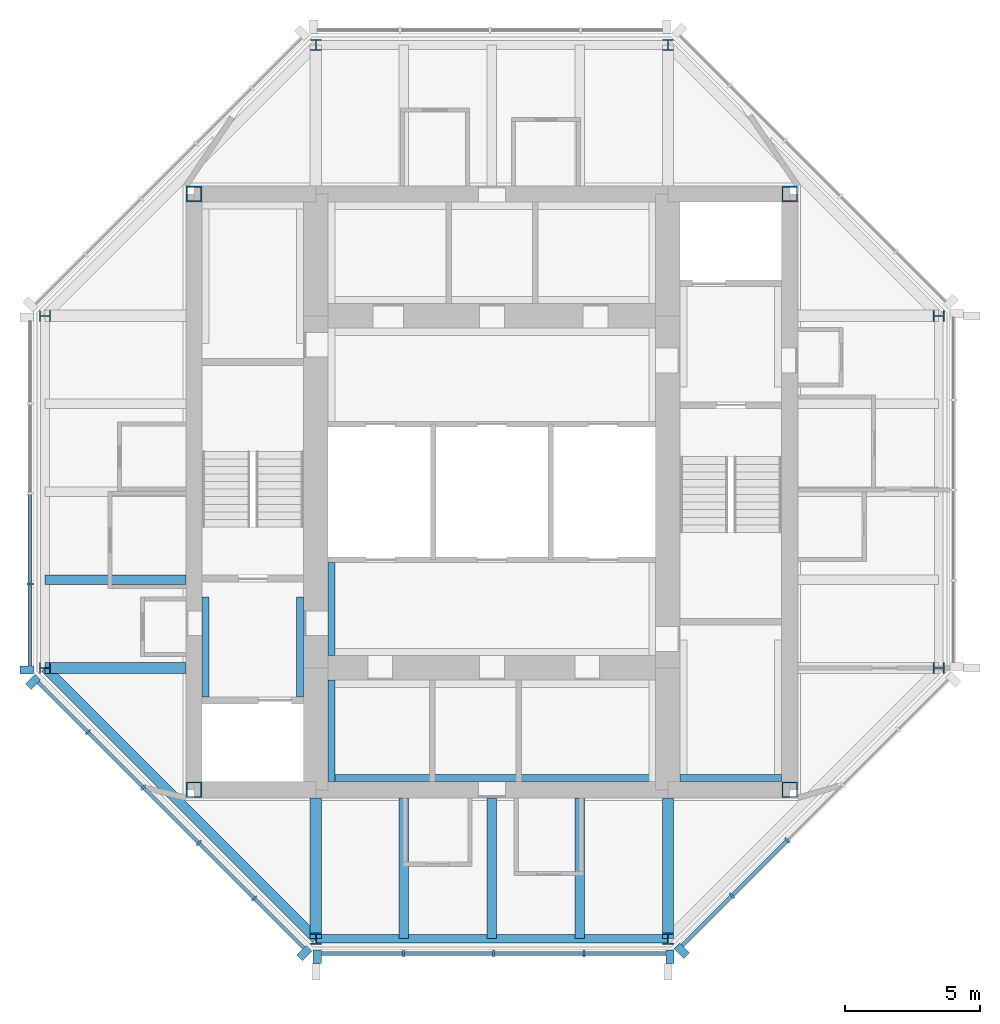
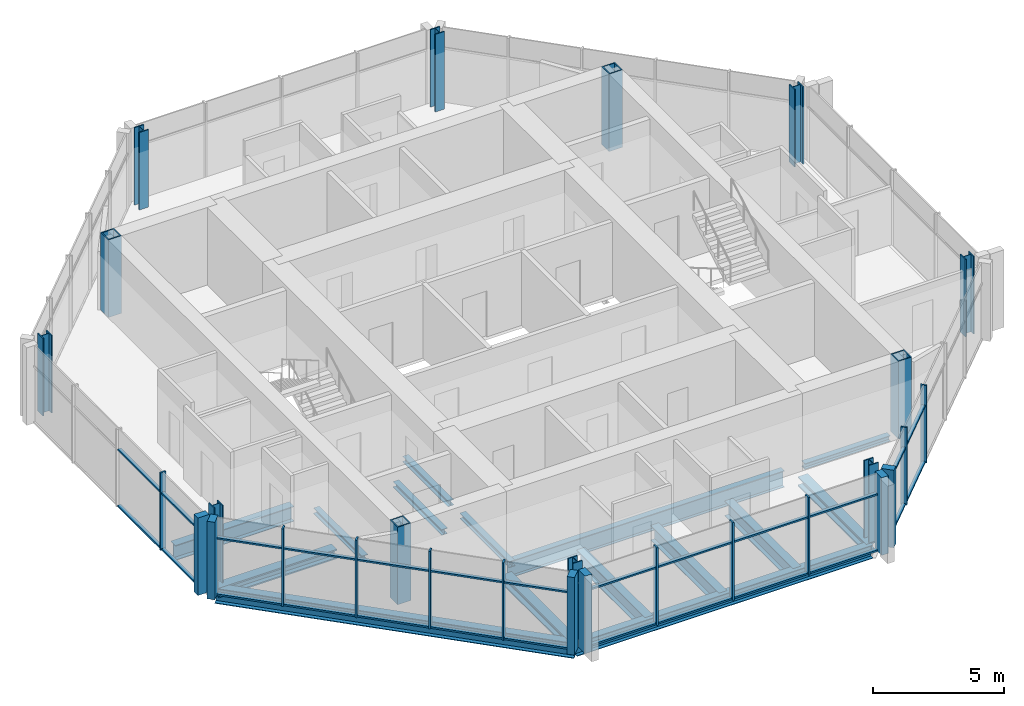
# One storey, part 1 of 8: 42 members, 15 beams, 12 columns, 4 elements without a shape of their own.
"""IFC4 building model written with IfcOpenShell, lengths in metres."""

from ifc_helpers import new_model, si_unit, direction, frame, origin, origin_2d, place, context, subcontext, project, spatial, rectangle, hollow_rectangle, i_section, extrude, material, material_profile, profile_set, type_object, element, aggregate, save


model = new_model("IFC4")

# Units and contexts
model_context = context("Model", 3, precision=1e-05, world=origin(), true_north=direction((0.0, 1.0)))
body_context = subcontext(model_context, "Body", "Model", "MODEL_VIEW")
ifc_project = project(units=[si_unit("LENGTHUNIT", "METRE"), si_unit("AREAUNIT", "SQUARE_METRE"), si_unit("VOLUMEUNIT", "CUBIC_METRE"), si_unit("PLANEANGLEUNIT", "RADIAN"), si_unit("MASSUNIT", "GRAM", prefix="KILO")], contexts=[model_context])

# Site, building, storey
site_placement = place(None, origin())
site = spatial("IfcSite", under=ifc_project, at=site_placement, CompositionType="ELEMENT")
building_placement = place(site_placement, origin())
building = spatial("IfcBuilding", under=site, at=building_placement, Name="Trevanion Tower", CompositionType="ELEMENT")
storey_placement = place(building_placement, frame((0.0, 0.0, 274.0)))
storey = spatial("IfcBuildingStorey", under=building, at=storey_placement, Name="L67", CompositionType="ELEMENT", Elevation=274.0)

# Columns
ifc_material_1 = material(Name="Steel ASTM A913 Grade 65", Category="steel")
ifc_material_profile_1 = material_profile(ifc_material_1, i_section(OverallWidth=0.406494140625, OverallDepth=0.41650390625, WebThickness=0.030029296875, FlangeThickness=0.048095703125, at=origin_2d()), Name="W14X257")
ifc_profile_set_1 = profile_set([ifc_material_profile_1], Name="Steel ASTM A913 Grade 65")
column_type_1 = type_object("IfcColumnType", Name="C6 W14X257", PredefinedType="COLUMN", material=ifc_profile_set_1)
for number, where, z_axis, x_axis, name in (
    (1, (-16.5, -6.5, 0.0), (0.0, 0.0, 1.0), (0.0, 1.0, 0.0), "C6 7/G L67"),
    (2, (-6.5, -16.5, 0.0), (0.0, 0.0, 1.0), (1.0, 0.0, 0.0), "C6 9/E L67"),
    (3, (6.5, -16.5, 0.0), (0.0, 0.0, 1.0), (1.0, 0.0, 0.0), "C6 11/E L67"),
    (4, (16.5, -6.5, 0.0), (0.0, 0.0, 1.0), (0.0, 1.0, 0.0), "C6 13/G L67"),
    (5, (16.5, 6.5, 0.0), (0.0, 0.0, 1.0), (0.0, 1.0, 0.0), "C6 13/J L67"),
    (6, (6.5, 16.5, 0.0), (0.0, 0.0, 1.0), (1.0, 0.0, 0.0), "C6 11/L L67"),
    (7, (-6.5, 16.5, 0.0), (0.0, 0.0, 1.0), (1.0, 0.0, 0.0), "C6 9/L L67"),
    (8, (-16.5, 6.5, 0.0), (0.0, 0.0, 1.0), (0.0, 1.0, 0.0), "C6 7/J L67"),
):
    element("IfcColumn", number, at=place(storey_placement, frame(where, z_axis=z_axis, x_axis=x_axis)), inside=storey, type_object=column_type_1, Name=name, PredefinedType="COLUMN", context=body_context, shape_type="SweptSolid", body=[
        extrude(i_section(OverallWidth=0.406494140625, OverallDepth=0.41650390625, WebThickness=0.030029296875, FlangeThickness=0.048095703125, at=origin_2d()), origin(), (0.0, 0.0, 1.0), 3.60009765625),
    ])
ifc_material_2 = material(Name="Steel ASTM A572 Grade 50", Category="steel")
ifc_material_profile_2 = material_profile(ifc_material_2, hollow_rectangle(XDim=0.584228515625, YDim=0.584228515625, WallThickness=0.05078125, at=origin_2d()), Name="BOX23X23X2")
ifc_profile_set_2 = profile_set([ifc_material_profile_2], Name="Steel ASTM A572 Grade 50")
column_type_2 = type_object("IfcColumnType", Name="CB1 BOX23X23X2", PredefinedType="COLUMN", material=ifc_profile_set_2)
for number, where, z_axis, x_axis, name in (
    (9, (11.0, 11.0, 0.0), (0.0, 0.0, 1.0), (1.0, 0.0, 0.0), "CB1 NE L67"),
    (10, (-11.0, 11.0, 0.0), (0.0, 0.0, 1.0), (1.0, 0.0, 0.0), "CB1 NW L67"),
    (11, (-11.0, -11.0, 0.0), (0.0, 0.0, 1.0), (1.0, 0.0, 0.0), "CB1 SW L67"),
    (12, (11.0, -11.0, 0.0), (0.0, 0.0, 1.0), (1.0, 0.0, 0.0), "CB1 SE L67"),
):
    element("IfcColumn", number, at=place(storey_placement, frame(where, z_axis=z_axis, x_axis=x_axis)), inside=storey, type_object=column_type_2, Name=name, PredefinedType="COLUMN", context=body_context, shape_type="SweptSolid", body=[
        extrude(hollow_rectangle(XDim=0.584228515625, YDim=0.584228515625, WallThickness=0.05078125, at=origin_2d()), origin(), (0.0, 0.0, 1.0), 3.60009765625),
    ])

# Beams
ifc_material_3 = material(Name="Steel ASTM A992 Grade 50", Category="steel")
ifc_material_profile_3 = material_profile(ifc_material_3, i_section(OverallWidth=0.355712890625, OverallDepth=0.700927734375, WebThickness=0.016845703125, FlangeThickness=0.02734375, at=origin_2d()), Name="W27X161")
ifc_profile_set_3 = profile_set([ifc_material_profile_3], Name="Steel ASTM A992 Grade 50")
beam_type_1 = type_object("IfcBeamType", Name="B15 W27X161", PredefinedType="BEAM", material=ifc_profile_set_3)
for number, where, z_axis, x_axis, name in (
    (13, (-11.300048828125, -3.25, -0.54052734375), (-1.0, 0.0, 0.0), (0.0, -1.0, 0.0), "B15 L67"),
    (14, (-3.25, -11.300048828125, -0.54052734375), (0.0, -1.0, 0.0), (1.0, 0.0, 0.0), "B15 L67"),
    (15, (0.0, -11.300048828125, -0.54052734375), (0.0, -1.0, 0.0), (1.0, 0.0, 0.0), "B15 L67"),
    (16, (3.25, -11.300048828125, -0.54052734375), (0.0, -1.0, 0.0), (1.0, 0.0, 0.0), "B15 L67"),
):
    element("IfcBeam", number, at=place(storey_placement, frame(where, z_axis=z_axis, x_axis=x_axis)), inside=storey, type_object=beam_type_1, Name=name, PredefinedType="BEAM", context=body_context, shape_type="SweptSolid", body=[
        extrude(i_section(OverallWidth=0.355712890625, OverallDepth=0.700927734375, WebThickness=0.016845703125, FlangeThickness=0.02734375, at=origin_2d()), origin(), (0.0, 0.0, 1.0), 5.199951171875),
    ])

# Curtain wall, member
ifc_material_4 = material(Name="Aluminium and glass", Category="aluminium")
curtain_wall_type = type_object("IfcCurtainWallType", Name="CW4 curtain wall", PredefinedType="USERDEFINED", material=ifc_material_4)
curtain_wall_1_placement = place(storey_placement, origin())
curtain_wall_1 = element("IfcCurtainWall", 17, at=curtain_wall_1_placement, inside=storey, type_object=curtain_wall_type, Name="CW4 L67 4", ObjectType="UNITISED CURTAIN WALL", PredefinedType="USERDEFINED")
ifc_material_5 = material(Name="Aluminium extrusion, anodised bronze", Category="aluminium")
ifc_material_profile_4 = material_profile(ifc_material_5, rectangle(XDim=0.074951171875, YDim=0.25, at=origin_2d()), Name="CW4 mullion")
ifc_profile_set_4 = profile_set([ifc_material_profile_4], Name="Aluminium extrusion, anodised bronze")
member_type_1 = type_object("IfcMemberType", Name="CW4 mullion", PredefinedType="MULLION", material=ifc_profile_set_4)
member_1_placement = place(storey_placement, frame((-17.050048828125, -3.396484375, -0.18994140625), z_axis=(0.0, 0.0, 1.0), x_axis=(0.0, -1.0, 0.0)))
member_1 = element("IfcMember", 18, at=member_1_placement, type_object=member_type_1, Name="CW4 mullion 4", PredefinedType="MULLION", context=body_context, shape_type="SweptSolid", body=[
    extrude(rectangle(XDim=0.074951171875, YDim=0.25, at=origin_2d()), origin(), (0.0, 0.0, 1.0), 3.599853515625),
])

# Curtain wall, members
curtain_wall_2_placement = place(storey_placement, origin())
curtain_wall_2 = element("IfcCurtainWall", 19, at=curtain_wall_2_placement, inside=storey, type_object=curtain_wall_type, Name="CW4 L67 5", ObjectType="UNITISED CURTAIN WALL", PredefinedType="USERDEFINED")
member_2_placement = place(storey_placement, frame((-14.912109375, -8.86572265625, -0.18994140625), z_axis=(0.0, 0.0, 1.0), x_axis=(0.707106781187, -0.707106781187, 0.0)))
member_2 = element("IfcMember", 20, at=member_2_placement, type_object=member_type_1, Name="CW4 mullion 2", PredefinedType="MULLION", context=body_context, shape_type="SweptSolid", body=[
    extrude(rectangle(XDim=0.074951171875, YDim=0.25, at=origin_2d()), origin(), (0.0, 0.0, 1.0), 3.599853515625),
])
member_3_placement = place(storey_placement, frame((-12.865966796875, -10.911865234375, -0.18994140625), z_axis=(0.0, 0.0, 1.0), x_axis=(0.707106781187, -0.707106781187, 0.0)))
member_3 = element("IfcMember", 21, at=member_3_placement, type_object=member_type_1, Name="CW4 mullion 3", PredefinedType="MULLION", context=body_context, shape_type="SweptSolid", body=[
    extrude(rectangle(XDim=0.074951171875, YDim=0.25, at=origin_2d()), origin(), (0.0, 0.0, 1.0), 3.599853515625),
])
member_4_placement = place(storey_placement, frame((-10.81982421875, -12.9580078125, -0.18994140625), z_axis=(0.0, 0.0, 1.0), x_axis=(0.707106781187, -0.707106781187, 0.0)))
member_4 = element("IfcMember", 22, at=member_4_placement, type_object=member_type_1, Name="CW4 mullion 4", PredefinedType="MULLION", context=body_context, shape_type="SweptSolid", body=[
    extrude(rectangle(XDim=0.074951171875, YDim=0.25, at=origin_2d()), origin(), (0.0, 0.0, 1.0), 3.599853515625),
])
member_5_placement = place(storey_placement, frame((-8.77392578125, -15.00390625, -0.18994140625), z_axis=(0.0, 0.0, 1.0), x_axis=(0.707106781187, -0.707106781187, 0.0)))
member_5 = element("IfcMember", 23, at=member_5_placement, type_object=member_type_1, Name="CW4 mullion 5", PredefinedType="MULLION", context=body_context, shape_type="SweptSolid", body=[
    extrude(rectangle(XDim=0.074951171875, YDim=0.25, at=origin_2d()), origin(), (0.0, 0.0, 1.0), 3.599853515625),
])

curtain_wall_3_placement = place(storey_placement, origin())
curtain_wall_3 = element("IfcCurtainWall", 24, at=curtain_wall_3_placement, inside=storey, type_object=curtain_wall_type, Name="CW4 L67 6", ObjectType="UNITISED CURTAIN WALL", PredefinedType="USERDEFINED")
member_6_placement = place(storey_placement, frame((-3.266357421875, -17.050048828125, -0.18994140625), z_axis=(0.0, 0.0, 1.0), x_axis=(1.0, 0.0, 0.0)))
member_6 = element("IfcMember", 25, at=member_6_placement, type_object=member_type_1, Name="CW4 mullion 2", PredefinedType="MULLION", context=body_context, shape_type="SweptSolid", body=[
    extrude(rectangle(XDim=0.074951171875, YDim=0.25, at=origin_2d()), origin(), (0.0, 0.0, 1.0), 3.599853515625),
])
member_7_placement = place(storey_placement, frame((0.06494140625, -17.050048828125, -0.18994140625), z_axis=(0.0, 0.0, 1.0), x_axis=(1.0, 0.0, 0.0)))
member_7 = element("IfcMember", 26, at=member_7_placement, type_object=member_type_1, Name="CW4 mullion 3", PredefinedType="MULLION", context=body_context, shape_type="SweptSolid", body=[
    extrude(rectangle(XDim=0.074951171875, YDim=0.25, at=origin_2d()), origin(), (0.0, 0.0, 1.0), 3.599853515625),
])
member_8_placement = place(storey_placement, frame((3.396484375, -17.050048828125, -0.18994140625), z_axis=(0.0, 0.0, 1.0), x_axis=(1.0, 0.0, 0.0)))
member_8 = element("IfcMember", 27, at=member_8_placement, type_object=member_type_1, Name="CW4 mullion 4", PredefinedType="MULLION", context=body_context, shape_type="SweptSolid", body=[
    extrude(rectangle(XDim=0.074951171875, YDim=0.25, at=origin_2d()), origin(), (0.0, 0.0, 1.0), 3.599853515625),
])

curtain_wall_4_placement = place(storey_placement, origin())
curtain_wall_4 = element("IfcCurtainWall", 28, at=curtain_wall_4_placement, inside=storey, type_object=curtain_wall_type, Name="CW4 L67 7", ObjectType="UNITISED CURTAIN WALL", PredefinedType="USERDEFINED")
member_9_placement = place(storey_placement, frame((8.86572265625, -14.912109375, -0.18994140625), z_axis=(0.0, 0.0, 1.0), x_axis=(0.707106781187, 0.707106781187, 0.0)))
member_9 = element("IfcMember", 29, at=member_9_placement, type_object=member_type_1, Name="CW4 mullion 2", PredefinedType="MULLION", context=body_context, shape_type="SweptSolid", body=[
    extrude(rectangle(XDim=0.074951171875, YDim=0.25, at=origin_2d()), origin(), (0.0, 0.0, 1.0), 3.599853515625),
])
member_10_placement = place(storey_placement, frame((10.911865234375, -12.865966796875, -0.18994140625), z_axis=(0.0, 0.0, 1.0), x_axis=(0.707106781187, 0.707106781187, 0.0)))
member_10 = element("IfcMember", 30, at=member_10_placement, type_object=member_type_1, Name="CW4 mullion 3", PredefinedType="MULLION", context=body_context, shape_type="SweptSolid", body=[
    extrude(rectangle(XDim=0.074951171875, YDim=0.25, at=origin_2d()), origin(), (0.0, 0.0, 1.0), 3.599853515625),
])

# Member
ifc_material_6 = material(Name="Aluminium extrusion, anodised bronze", Category="aluminium")
ifc_material_profile_5 = material_profile(ifc_material_6, rectangle(XDim=0.300048828125, YDim=0.5, at=origin_2d()), Name="CW4 pier mullion")
ifc_profile_set_5 = profile_set([ifc_material_profile_5], Name="Aluminium extrusion, anodised bronze")
member_type_2 = type_object("IfcMemberType", Name="CW4 pier mullion", PredefinedType="MULLION", material=ifc_profile_set_5)
member_11_placement = place(storey_placement, frame((-17.175048828125, -6.577880859375, -0.18994140625), z_axis=(0.0, 0.0, 1.0), x_axis=(0.0, -1.0, 0.0)))
member_11 = element("IfcMember", 31, at=member_11_placement, type_object=member_type_2, Name="CW4 pier mullion 5", PredefinedType="MULLION", context=body_context, shape_type="SweptSolid", body=[
    extrude(rectangle(XDim=0.300048828125, YDim=0.5, at=origin_2d()), origin(), (0.0, 0.0, 1.0), 3.599853515625),
])

member_12_placement = place(storey_placement, frame((-16.9404296875, -7.01416015625, -0.18994140625), z_axis=(0.0, 0.0, 1.0), x_axis=(0.707106781187, -0.707106781187, 0.0)))
member_12 = element("IfcMember", 32, at=member_12_placement, type_object=member_type_2, Name="CW4 pier mullion 1", PredefinedType="MULLION", context=body_context, shape_type="SweptSolid", body=[
    extrude(rectangle(XDim=0.300048828125, YDim=0.5, at=origin_2d()), origin(), (0.0, 0.0, 1.0), 3.599853515625),
])

member_13_placement = place(storey_placement, frame((-6.92236328125, -17.0322265625, -0.18994140625), z_axis=(0.0, 0.0, 1.0), x_axis=(0.707106781187, -0.707106781187, 0.0)))
member_13 = element("IfcMember", 33, at=member_13_placement, type_object=member_type_2, Name="CW4 pier mullion 6", PredefinedType="MULLION", context=body_context, shape_type="SweptSolid", body=[
    extrude(rectangle(XDim=0.300048828125, YDim=0.5, at=origin_2d()), origin(), (0.0, 0.0, 1.0), 3.599853515625),
])

member_14_placement = place(storey_placement, frame((-6.44775390625, -17.175048828125, -0.18994140625), z_axis=(0.0, 0.0, 1.0), x_axis=(1.0, 0.0, 0.0)))
member_14 = element("IfcMember", 34, at=member_14_placement, type_object=member_type_2, Name="CW4 pier mullion 1", PredefinedType="MULLION", context=body_context, shape_type="SweptSolid", body=[
    extrude(rectangle(XDim=0.300048828125, YDim=0.5, at=origin_2d()), origin(), (0.0, 0.0, 1.0), 3.599853515625),
])

member_15_placement = place(storey_placement, frame((6.577880859375, -17.175048828125, -0.18994140625), z_axis=(0.0, 0.0, 1.0), x_axis=(1.0, 0.0, 0.0)))
member_15 = element("IfcMember", 35, at=member_15_placement, type_object=member_type_2, Name="CW4 pier mullion 5", PredefinedType="MULLION", context=body_context, shape_type="SweptSolid", body=[
    extrude(rectangle(XDim=0.300048828125, YDim=0.5, at=origin_2d()), origin(), (0.0, 0.0, 1.0), 3.599853515625),
])

member_16_placement = place(storey_placement, frame((7.01416015625, -16.9404296875, -0.18994140625), z_axis=(0.0, 0.0, 1.0), x_axis=(0.707106781187, 0.707106781187, 0.0)))
member_16 = element("IfcMember", 36, at=member_16_placement, type_object=member_type_2, Name="CW4 pier mullion 1", PredefinedType="MULLION", context=body_context, shape_type="SweptSolid", body=[
    extrude(rectangle(XDim=0.300048828125, YDim=0.5, at=origin_2d()), origin(), (0.0, 0.0, 1.0), 3.599853515625),
])

ifc_material_7 = material(Name="Aluminium extrusion, anodised bronze", Category="aluminium")
ifc_material_profile_6 = material_profile(ifc_material_7, rectangle(XDim=0.14990234375, YDim=0.074951171875, at=origin_2d()), Name="CW4 transom")
ifc_profile_set_6 = profile_set([ifc_material_profile_6], Name="Aluminium extrusion, anodised bronze")
member_type_3 = type_object("IfcMemberType", Name="CW4 transom", PredefinedType="USERDEFINED", material=ifc_profile_set_6)
member_17_placement = place(storey_placement, frame((-17.050048828125, -0.1025390625, -0.152587890625), z_axis=(0.0, -1.0, 0.0), x_axis=(1.0, 0.0, 0.0)))
member_17 = element("IfcMember", 37, at=member_17_placement, type_object=member_type_3, Name="CW4 transom 3.1", ObjectType="TRANSOM", PredefinedType="USERDEFINED", context=body_context, shape_type="SweptSolid", body=[
    extrude(rectangle(XDim=0.14990234375, YDim=0.074951171875, at=origin_2d()), origin(), (0.0, 0.0, 1.0), 3.25634765625),
])

member_18_placement = place(storey_placement, frame((-17.050048828125, -0.1025390625, 2.4599609375), z_axis=(0.0, -1.0, 0.0), x_axis=(1.0, 0.0, 0.0)))
member_18 = element("IfcMember", 38, at=member_18_placement, type_object=member_type_3, Name="CW4 transom 3.2", ObjectType="TRANSOM", PredefinedType="USERDEFINED", context=body_context, shape_type="SweptSolid", body=[
    extrude(rectangle(XDim=0.14990234375, YDim=0.074951171875, at=origin_2d()), origin(), (0.0, 0.0, 1.0), 3.25634765625),
])

member_19_placement = place(storey_placement, frame((-17.050048828125, -3.433837890625, -0.152587890625), z_axis=(0.0, -1.0, 0.0), x_axis=(1.0, 0.0, 0.0)))
member_19 = element("IfcMember", 39, at=member_19_placement, type_object=member_type_3, Name="CW4 transom 4.1", ObjectType="TRANSOM", PredefinedType="USERDEFINED", context=body_context, shape_type="SweptSolid", body=[
    extrude(rectangle(XDim=0.14990234375, YDim=0.074951171875, at=origin_2d()), origin(), (0.0, 0.0, 1.0), 2.993896484375),
])

member_20_placement = place(storey_placement, frame((-17.050048828125, -3.433837890625, 2.4599609375), z_axis=(0.0, -1.0, 0.0), x_axis=(1.0, 0.0, 0.0)))
member_20 = element("IfcMember", 40, at=member_20_placement, type_object=member_type_3, Name="CW4 transom 4.2", ObjectType="TRANSOM", PredefinedType="USERDEFINED", context=body_context, shape_type="SweptSolid", body=[
    extrude(rectangle(XDim=0.14990234375, YDim=0.074951171875, at=origin_2d()), origin(), (0.0, 0.0, 1.0), 2.993896484375),
])

aggregate(curtain_wall_1, [member_1, member_11, member_17, member_18, member_19, member_20])

member_21_placement = place(storey_placement, frame((-16.745849609375, -7.031982421875, -0.152587890625), z_axis=(0.707106781187, -0.707106781187, 0.0), x_axis=(0.707106781187, 0.707106781187, 0.0)))
member_21 = element("IfcMember", 41, at=member_21_placement, type_object=member_type_3, Name="CW4 transom 1.1", ObjectType="TRANSOM", PredefinedType="USERDEFINED", context=body_context, shape_type="SweptSolid", body=[
    extrude(rectangle(XDim=0.14990234375, YDim=0.074951171875, at=origin_2d()), origin(), (0.0, 0.0, 1.0), 2.555908203125),
])

member_22_placement = place(storey_placement, frame((-16.745849609375, -7.031982421875, 2.4599609375), z_axis=(0.707106781187, -0.707106781187, 0.0), x_axis=(0.707106781187, 0.707106781187, 0.0)))
member_22 = element("IfcMember", 42, at=member_22_placement, type_object=member_type_3, Name="CW4 transom 1.2", ObjectType="TRANSOM", PredefinedType="USERDEFINED", context=body_context, shape_type="SweptSolid", body=[
    extrude(rectangle(XDim=0.14990234375, YDim=0.074951171875, at=origin_2d()), origin(), (0.0, 0.0, 1.0), 2.555908203125),
])

member_23_placement = place(storey_placement, frame((-14.885498046875, -8.892333984375, -0.152587890625), z_axis=(0.707106781187, -0.707106781187, 0.0), x_axis=(0.707106781187, 0.707106781187, 0.0)))
member_23 = element("IfcMember", 43, at=member_23_placement, type_object=member_type_3, Name="CW4 transom 2.1", ObjectType="TRANSOM", PredefinedType="USERDEFINED", context=body_context, shape_type="SweptSolid", body=[
    extrude(rectangle(XDim=0.14990234375, YDim=0.074951171875, at=origin_2d()), origin(), (0.0, 0.0, 1.0), 2.818359375),
])

member_24_placement = place(storey_placement, frame((-14.885498046875, -8.892333984375, 2.4599609375), z_axis=(0.707106781187, -0.707106781187, 0.0), x_axis=(0.707106781187, 0.707106781187, 0.0)))
member_24 = element("IfcMember", 44, at=member_24_placement, type_object=member_type_3, Name="CW4 transom 2.2", ObjectType="TRANSOM", PredefinedType="USERDEFINED", context=body_context, shape_type="SweptSolid", body=[
    extrude(rectangle(XDim=0.14990234375, YDim=0.074951171875, at=origin_2d()), origin(), (0.0, 0.0, 1.0), 2.818359375),
])

member_25_placement = place(storey_placement, frame((-12.839599609375, -10.9384765625, -0.152587890625), z_axis=(0.707150088905, -0.707063470815, 0.0), x_axis=(0.707063470815, 0.707150088905, 0.0)))
member_25 = element("IfcMember", 45, at=member_25_placement, type_object=member_type_3, Name="CW4 transom 3.1", ObjectType="TRANSOM", PredefinedType="USERDEFINED", context=body_context, shape_type="SweptSolid", body=[
    extrude(rectangle(XDim=0.14990234375, YDim=0.074951171875, at=origin_2d()), origin(), (0.0, 0.0, 1.0), 2.818603515625),
])

member_26_placement = place(storey_placement, frame((-12.839599609375, -10.9384765625, 2.4599609375), z_axis=(0.707150088905, -0.707063470815, 0.0), x_axis=(0.707063470815, 0.707150088905, 0.0)))
member_26 = element("IfcMember", 46, at=member_26_placement, type_object=member_type_3, Name="CW4 transom 3.2", ObjectType="TRANSOM", PredefinedType="USERDEFINED", context=body_context, shape_type="SweptSolid", body=[
    extrude(rectangle(XDim=0.14990234375, YDim=0.074951171875, at=origin_2d()), origin(), (0.0, 0.0, 1.0), 2.818603515625),
])

member_27_placement = place(storey_placement, frame((-10.79345703125, -12.984375, -0.152587890625), z_axis=(0.707150088905, -0.707063470815, 0.0), x_axis=(0.707063470815, 0.707150088905, 0.0)))
member_27 = element("IfcMember", 47, at=member_27_placement, type_object=member_type_3, Name="CW4 transom 4.1", ObjectType="TRANSOM", PredefinedType="USERDEFINED", context=body_context, shape_type="SweptSolid", body=[
    extrude(rectangle(XDim=0.14990234375, YDim=0.074951171875, at=origin_2d()), origin(), (0.0, 0.0, 1.0), 2.818603515625),
])

member_28_placement = place(storey_placement, frame((-10.79345703125, -12.984375, 2.4599609375), z_axis=(0.707150088905, -0.707063470815, 0.0), x_axis=(0.707063470815, 0.707150088905, 0.0)))
member_28 = element("IfcMember", 48, at=member_28_placement, type_object=member_type_3, Name="CW4 transom 4.2", ObjectType="TRANSOM", PredefinedType="USERDEFINED", context=body_context, shape_type="SweptSolid", body=[
    extrude(rectangle(XDim=0.14990234375, YDim=0.074951171875, at=origin_2d()), origin(), (0.0, 0.0, 1.0), 2.818603515625),
])

member_29_placement = place(storey_placement, frame((-8.747314453125, -15.030517578125, -0.152587890625), z_axis=(0.707106781187, -0.707106781187, 0.0), x_axis=(0.707106781187, 0.707106781187, 0.0)))
member_29 = element("IfcMember", 49, at=member_29_placement, type_object=member_type_3, Name="CW4 transom 5.1", ObjectType="TRANSOM", PredefinedType="USERDEFINED", context=body_context, shape_type="SweptSolid", body=[
    extrude(rectangle(XDim=0.14990234375, YDim=0.074951171875, at=origin_2d()), origin(), (0.0, 0.0, 1.0), 2.555908203125),
])

member_30_placement = place(storey_placement, frame((-8.747314453125, -15.030517578125, 2.4599609375), z_axis=(0.707106781187, -0.707106781187, 0.0), x_axis=(0.707106781187, 0.707106781187, 0.0)))
member_30 = element("IfcMember", 50, at=member_30_placement, type_object=member_type_3, Name="CW4 transom 5.2", ObjectType="TRANSOM", PredefinedType="USERDEFINED", context=body_context, shape_type="SweptSolid", body=[
    extrude(rectangle(XDim=0.14990234375, YDim=0.074951171875, at=origin_2d()), origin(), (0.0, 0.0, 1.0), 2.555908203125),
])

aggregate(curtain_wall_2, [member_12, member_2, member_3, member_4, member_5, member_13, member_21, member_22, member_23, member_24, member_25, member_26, member_27, member_28, member_29, member_30])

member_31_placement = place(storey_placement, frame((-6.2978515625, -17.050048828125, -0.152587890625), z_axis=(1.0, 0.0, 0.0), x_axis=(0.0, 1.0, 0.0)))
member_31 = element("IfcMember", 51, at=member_31_placement, type_object=member_type_3, Name="CW4 transom 1.1", ObjectType="TRANSOM", PredefinedType="USERDEFINED", context=body_context, shape_type="SweptSolid", body=[
    extrude(rectangle(XDim=0.14990234375, YDim=0.074951171875, at=origin_2d()), origin(), (0.0, 0.0, 1.0), 2.993896484375),
])

member_32_placement = place(storey_placement, frame((-6.2978515625, -17.050048828125, 2.4599609375), z_axis=(1.0, 0.0, 0.0), x_axis=(0.0, 1.0, 0.0)))
member_32 = element("IfcMember", 52, at=member_32_placement, type_object=member_type_3, Name="CW4 transom 1.2", ObjectType="TRANSOM", PredefinedType="USERDEFINED", context=body_context, shape_type="SweptSolid", body=[
    extrude(rectangle(XDim=0.14990234375, YDim=0.074951171875, at=origin_2d()), origin(), (0.0, 0.0, 1.0), 2.993896484375),
])

member_33_placement = place(storey_placement, frame((-3.22900390625, -17.050048828125, -0.152587890625), z_axis=(1.0, 0.0, 0.0), x_axis=(0.0, 1.0, 0.0)))
member_33 = element("IfcMember", 53, at=member_33_placement, type_object=member_type_3, Name="CW4 transom 2.1", ObjectType="TRANSOM", PredefinedType="USERDEFINED", context=body_context, shape_type="SweptSolid", body=[
    extrude(rectangle(XDim=0.14990234375, YDim=0.074951171875, at=origin_2d()), origin(), (0.0, 0.0, 1.0), 3.256591796875),
])

member_34_placement = place(storey_placement, frame((-3.22900390625, -17.050048828125, 2.4599609375), z_axis=(1.0, 0.0, 0.0), x_axis=(0.0, 1.0, 0.0)))
member_34 = element("IfcMember", 54, at=member_34_placement, type_object=member_type_3, Name="CW4 transom 2.2", ObjectType="TRANSOM", PredefinedType="USERDEFINED", context=body_context, shape_type="SweptSolid", body=[
    extrude(rectangle(XDim=0.14990234375, YDim=0.074951171875, at=origin_2d()), origin(), (0.0, 0.0, 1.0), 3.256591796875),
])

member_35_placement = place(storey_placement, frame((0.1025390625, -17.050048828125, -0.152587890625), z_axis=(1.0, 0.0, 0.0), x_axis=(0.0, 1.0, 0.0)))
member_35 = element("IfcMember", 55, at=member_35_placement, type_object=member_type_3, Name="CW4 transom 3.1", ObjectType="TRANSOM", PredefinedType="USERDEFINED", context=body_context, shape_type="SweptSolid", body=[
    extrude(rectangle(XDim=0.14990234375, YDim=0.074951171875, at=origin_2d()), origin(), (0.0, 0.0, 1.0), 3.25634765625),
])

member_36_placement = place(storey_placement, frame((0.1025390625, -17.050048828125, 2.4599609375), z_axis=(1.0, 0.0, 0.0), x_axis=(0.0, 1.0, 0.0)))
member_36 = element("IfcMember", 56, at=member_36_placement, type_object=member_type_3, Name="CW4 transom 3.2", ObjectType="TRANSOM", PredefinedType="USERDEFINED", context=body_context, shape_type="SweptSolid", body=[
    extrude(rectangle(XDim=0.14990234375, YDim=0.074951171875, at=origin_2d()), origin(), (0.0, 0.0, 1.0), 3.25634765625),
])

member_37_placement = place(storey_placement, frame((3.433837890625, -17.050048828125, -0.152587890625), z_axis=(1.0, 0.0, 0.0), x_axis=(0.0, 1.0, 0.0)))
member_37 = element("IfcMember", 57, at=member_37_placement, type_object=member_type_3, Name="CW4 transom 4.1", ObjectType="TRANSOM", PredefinedType="USERDEFINED", context=body_context, shape_type="SweptSolid", body=[
    extrude(rectangle(XDim=0.14990234375, YDim=0.074951171875, at=origin_2d()), origin(), (0.0, 0.0, 1.0), 2.993896484375),
])

member_38_placement = place(storey_placement, frame((3.433837890625, -17.050048828125, 2.4599609375), z_axis=(1.0, 0.0, 0.0), x_axis=(0.0, 1.0, 0.0)))
member_38 = element("IfcMember", 58, at=member_38_placement, type_object=member_type_3, Name="CW4 transom 4.2", ObjectType="TRANSOM", PredefinedType="USERDEFINED", context=body_context, shape_type="SweptSolid", body=[
    extrude(rectangle(XDim=0.14990234375, YDim=0.074951171875, at=origin_2d()), origin(), (0.0, 0.0, 1.0), 2.993896484375),
])

aggregate(curtain_wall_3, [member_14, member_6, member_7, member_8, member_15, member_31, member_32, member_33, member_34, member_35, member_36, member_37, member_38])

member_39_placement = place(storey_placement, frame((7.031982421875, -16.745849609375, -0.152587890625), z_axis=(0.707106781187, 0.707106781187, 0.0), x_axis=(-0.707106781187, 0.707106781187, 0.0)))
member_39 = element("IfcMember", 59, at=member_39_placement, type_object=member_type_3, Name="CW4 transom 1.1", ObjectType="TRANSOM", PredefinedType="USERDEFINED", context=body_context, shape_type="SweptSolid", body=[
    extrude(rectangle(XDim=0.14990234375, YDim=0.074951171875, at=origin_2d()), origin(), (0.0, 0.0, 1.0), 2.555908203125),
])

member_40_placement = place(storey_placement, frame((7.031982421875, -16.745849609375, 2.4599609375), z_axis=(0.707106781187, 0.707106781187, 0.0), x_axis=(-0.707106781187, 0.707106781187, 0.0)))
member_40 = element("IfcMember", 60, at=member_40_placement, type_object=member_type_3, Name="CW4 transom 1.2", ObjectType="TRANSOM", PredefinedType="USERDEFINED", context=body_context, shape_type="SweptSolid", body=[
    extrude(rectangle(XDim=0.14990234375, YDim=0.074951171875, at=origin_2d()), origin(), (0.0, 0.0, 1.0), 2.555908203125),
])

member_41_placement = place(storey_placement, frame((8.892333984375, -14.885498046875, -0.152587890625), z_axis=(0.707106781187, 0.707106781187, 0.0), x_axis=(-0.707106781187, 0.707106781187, 0.0)))
member_41 = element("IfcMember", 61, at=member_41_placement, type_object=member_type_3, Name="CW4 transom 2.1", ObjectType="TRANSOM", PredefinedType="USERDEFINED", context=body_context, shape_type="SweptSolid", body=[
    extrude(rectangle(XDim=0.14990234375, YDim=0.074951171875, at=origin_2d()), origin(), (0.0, 0.0, 1.0), 2.818359375),
])

member_42_placement = place(storey_placement, frame((8.892333984375, -14.885498046875, 2.4599609375), z_axis=(0.707106781187, 0.707106781187, 0.0), x_axis=(-0.707106781187, 0.707106781187, 0.0)))
member_42 = element("IfcMember", 62, at=member_42_placement, type_object=member_type_3, Name="CW4 transom 2.2", ObjectType="TRANSOM", PredefinedType="USERDEFINED", context=body_context, shape_type="SweptSolid", body=[
    extrude(rectangle(XDim=0.14990234375, YDim=0.074951171875, at=origin_2d()), origin(), (0.0, 0.0, 1.0), 2.818359375),
])

aggregate(curtain_wall_4, [member_16, member_9, member_10, member_39, member_40, member_41, member_42])

# Beams
ifc_material_8 = material(Name="Steel ASTM A992 Grade 50", Category="steel")
ifc_material_profile_7 = material_profile(ifc_material_8, i_section(OverallWidth=0.41650390625, OverallDepth=0.444580078125, WebThickness=0.0390625, FlangeThickness=0.062744140625, at=origin_2d()), Name="W14X342")
ifc_profile_set_7 = profile_set([ifc_material_profile_7], Name="Steel ASTM A992 Grade 50")
beam_type_2 = type_object("IfcBeamType", Name="G8 W14X342", PredefinedType="BEAM", material=ifc_profile_set_7)
for number, where, z_axis, x_axis, name in (
    (63, (-11.300048828125, -6.5, -0.412109375), (-1.0, 0.0, 0.0), (0.0, -1.0, 0.0), "G8 L67"),
    (64, (-6.5, -11.300048828125, -0.412109375), (0.0, -1.0, 0.0), (1.0, 0.0, 0.0), "G8 L67"),
    (65, (6.5, -11.300048828125, -0.412109375), (0.0, -1.0, 0.0), (1.0, 0.0, 0.0), "G8 L67"),
):
    element("IfcBeam", number, at=place(storey_placement, frame(where, z_axis=z_axis, x_axis=x_axis)), inside=storey, type_object=beam_type_2, Name=name, PredefinedType="BEAM", context=body_context, shape_type="SweptSolid", body=[
        extrude(i_section(OverallWidth=0.41650390625, OverallDepth=0.444580078125, WebThickness=0.0390625, FlangeThickness=0.062744140625, at=origin_2d()), origin(), (0.0, 0.0, 1.0), 5.199951171875),
    ])
ifc_material_9 = material(Name="Steel ASTM A992 Grade 50", Category="steel")
ifc_material_profile_8 = material_profile(ifc_material_9, i_section(OverallWidth=0.256591796875, OverallDepth=0.26416015625, WebThickness=0.011962890625, FlangeThickness=0.01953125, at=origin_2d()), Name="W10X68")
ifc_profile_set_8 = profile_set([ifc_material_profile_8], Name="Steel ASTM A992 Grade 50")
beam_type_3 = type_object("IfcBeamType", Name="LB1 W10X68", PredefinedType="BEAM", material=ifc_profile_set_8)
beam_1_placement = place(storey_placement, frame((-5.921630859375, -6.050048828125, -0.33203125), z_axis=(0.0, 1.0, 0.0), x_axis=(-1.0, 0.0, 0.0)))
element("IfcBeam", 66, at=beam_1_placement, inside=storey, type_object=beam_type_3, Name="LB1 L67", PredefinedType="BEAM", context=body_context, shape_type="SweptSolid", body=[
    extrude(i_section(OverallWidth=0.256591796875, OverallDepth=0.26416015625, WebThickness=0.011962890625, FlangeThickness=0.01953125, at=origin_2d()), origin(), (0.0, 0.0, 1.0), 3.449951171875),
])
for number, where, z_axis, x_axis, name in (
    (67, (-10.57177734375, -7.574951171875, -0.33203125), (0.0, 1.0, 0.0), (-1.0, 0.0, 0.0), "LB1 L67"),
    (68, (-7.078369140625, -7.574951171875, -0.33203125), (0.0, 1.0, 0.0), (-1.0, 0.0, 0.0), "LB1 L67"),
):
    element("IfcBeam", number, at=place(storey_placement, frame(where, z_axis=z_axis, x_axis=x_axis)), inside=storey, type_object=beam_type_3, Name=name, PredefinedType="BEAM", context=body_context, shape_type="SweptSolid", body=[
        extrude(i_section(OverallWidth=0.256591796875, OverallDepth=0.26416015625, WebThickness=0.011962890625, FlangeThickness=0.01953125, at=origin_2d()), origin(), (0.0, 0.0, 1.0), 3.699951171875),
    ])
for number, where, z_axis, x_axis, name in (
    (69, (6.949951171875, -10.57177734375, -0.33203125), (1.0, 0.0, 0.0), (0.0, 1.0, 0.0), "LB1 L67"),
    (70, (-5.921630859375, -10.699951171875, -0.33203125), (0.0, 1.0, 0.0), (-1.0, 0.0, 0.0), "LB1 L67"),
):
    element("IfcBeam", number, at=place(storey_placement, frame(where, z_axis=z_axis, x_axis=x_axis)), inside=storey, type_object=beam_type_3, Name=name, PredefinedType="BEAM", context=body_context, shape_type="SweptSolid", body=[
        extrude(i_section(OverallWidth=0.256591796875, OverallDepth=0.26416015625, WebThickness=0.011962890625, FlangeThickness=0.01953125, at=origin_2d()), origin(), (0.0, 0.0, 1.0), 3.75),
    ])
ifc_material_10 = material(Name="Steel ASTM A992 Grade 50", Category="steel")
ifc_material_profile_9 = material_profile(ifc_material_10, i_section(OverallWidth=0.2666015625, OverallDepth=0.76953125, WebThickness=0.015625, FlangeThickness=0.025390625, at=origin_2d()), Name="W30X132")
ifc_profile_set_9 = profile_set([ifc_material_profile_9], Name="Steel ASTM A992 Grade 50")
beam_type_4 = type_object("IfcBeamType", Name="LB3 W30X132", PredefinedType="BEAM", material=ifc_profile_set_9)
beam_2_placement = place(storey_placement, frame((-6.050048828125, -10.566650390625, -0.584716796875), z_axis=(1.0, 0.0, 0.0), x_axis=(0.0, 1.0, 0.0)))
element("IfcBeam", 71, at=beam_2_placement, inside=storey, type_object=beam_type_4, Name="LB3 L67", PredefinedType="BEAM", context=body_context, shape_type="SweptSolid", body=[
    extrude(i_section(OverallWidth=0.2666015625, OverallDepth=0.76953125, WebThickness=0.015625, FlangeThickness=0.025390625, at=origin_2d()), origin(), (0.0, 0.0, 1.0), 12.10009765625),
])
ifc_material_11 = material(Name="Steel ASTM A992 Grade 50", Category="steel")
ifc_material_profile_10 = material_profile(ifc_material_11, i_section(OverallWidth=0.32763671875, OverallDepth=0.622314453125, WebThickness=0.015380859375, FlangeThickness=0.0244140625, at=origin_2d()), Name="W24X131")
ifc_profile_set_10 = profile_set([ifc_material_profile_10], Name="Steel ASTM A992 Grade 50")
beam_type_5 = type_object("IfcBeamType", Name="SB12 W24X131", PredefinedType="SPANDREL", material=ifc_profile_set_10)
beam_3_placement = place(storey_placement, frame((-6.5, -16.5, -0.501220703125), z_axis=(1.0, 0.0, 0.0), x_axis=(0.0, 1.0, 0.0)))
element("IfcBeam", 72, at=beam_3_placement, inside=storey, type_object=beam_type_5, Name="SB12 L67", PredefinedType="SPANDREL", context=body_context, shape_type="SweptSolid", body=[
    extrude(i_section(OverallWidth=0.32763671875, OverallDepth=0.622314453125, WebThickness=0.015380859375, FlangeThickness=0.0244140625, at=origin_2d()), origin(), (0.0, 0.0, 1.0), 13.0),
])
ifc_material_12 = material(Name="Steel ASTM A992 Grade 50", Category="steel")
ifc_material_profile_11 = material_profile(ifc_material_12, i_section(OverallWidth=0.358154296875, OverallDepth=0.7060546875, WebThickness=0.018310546875, FlangeThickness=0.0302734375, at=origin_2d()), Name="W27X178")
ifc_profile_set_11 = profile_set([ifc_material_profile_11], Name="Steel ASTM A992 Grade 50")
beam_type_6 = type_object("IfcBeamType", Name="SB13 W27X178", PredefinedType="SPANDREL", material=ifc_profile_set_11)
beam_4_placement = place(storey_placement, frame((-16.5, -6.5, -0.543212890625), z_axis=(0.707106781187, -0.707106781187, 0.0), x_axis=(0.707106781187, 0.707106781187, 0.0)))
element("IfcBeam", 73, at=beam_4_placement, inside=storey, type_object=beam_type_6, Name="SB13 L67", PredefinedType="SPANDREL", context=body_context, shape_type="SweptSolid", body=[
    extrude(i_section(OverallWidth=0.358154296875, OverallDepth=0.7060546875, WebThickness=0.018310546875, FlangeThickness=0.0302734375, at=origin_2d()), origin(), (0.0, 0.0, 1.0), 14.14208984375),
])

save(model, "model.ifc")
